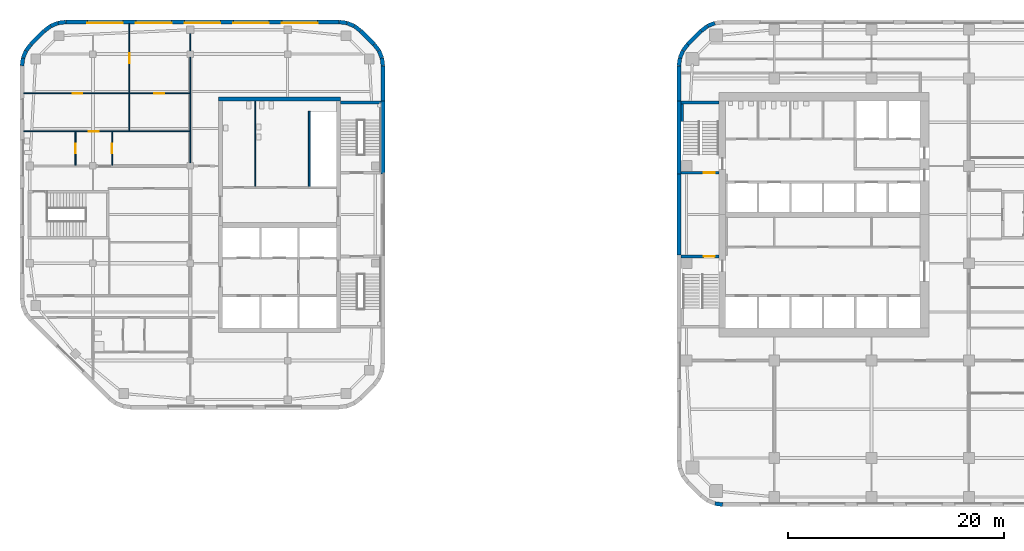
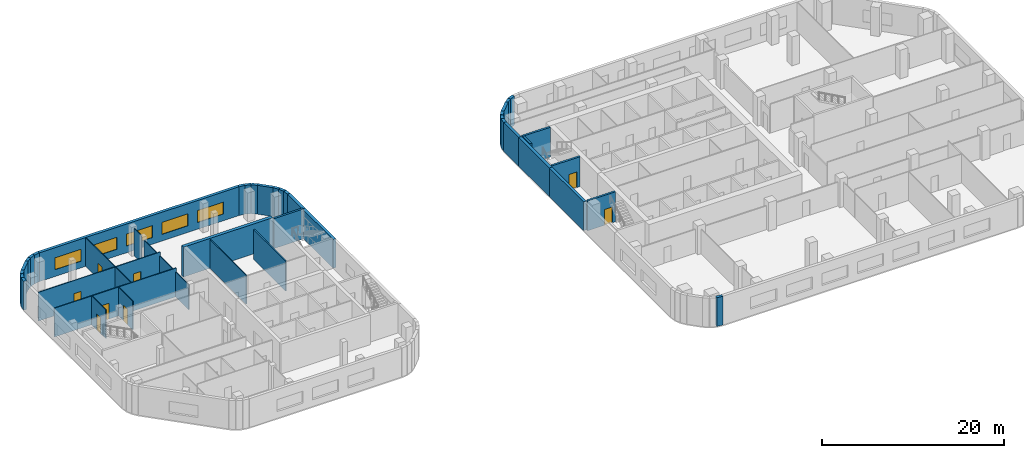
# One storey, part 7 of 14: 45 walls, 8 doors, 5 windows, 13 openings.
"""IFC4 building model written with IfcOpenShell, lengths in metres."""

from ifc_helpers import new_model, si_unit, direction, frame, frame_2d, origin, place, context, subcontext, project, spatial, rectangle, extrude, material, layer, layer_set, type_object, element, fill, save


model = new_model("IFC4")

# Units and contexts
model_context = context("Model", 3, precision=1e-05, world=origin(), true_north=direction((0.0, 1.0)))
body_context = subcontext(model_context, "Body", "Model", "MODEL_VIEW")
ifc_project = project(units=[si_unit("LENGTHUNIT", "METRE"), si_unit("AREAUNIT", "SQUARE_METRE"), si_unit("VOLUMEUNIT", "CUBIC_METRE"), si_unit("PLANEANGLEUNIT", "RADIAN"), si_unit("MASSUNIT", "GRAM", prefix="KILO")], contexts=[model_context])

# Site, building, storey
site_placement = place(None, origin())
site = spatial("IfcSite", under=ifc_project, at=site_placement, CompositionType="ELEMENT")
building_placement = place(site_placement, origin())
building = spatial("IfcBuilding", under=site, at=building_placement, Name="Cinnabar Reach Civic Tower", CompositionType="ELEMENT")
storey_placement = place(building_placement, frame((0.0, 0.0, 116.0)))
storey = spatial("IfcBuildingStorey", under=building, at=storey_placement, Name="L27", CompositionType="ELEMENT", Elevation=116.0)

# Walls
ifc_material_1 = material(Name="Facing brick with insulated backing", Category="masonry")
ifc_layer_1 = layer(ifc_material_1, 0.36)
ifc_layer_set_1 = layer_set([ifc_layer_1], Name="Brick corner wall")
wall_type_1 = type_object("IfcWallType", Name="Brick corner wall", PredefinedType="STANDARD", material=ifc_layer_set_1)
wall_1_placement = place(storey_placement, frame((3.5027, 49.2181, 0.0), z_axis=(0.0, 0.0, 1.0), x_axis=(-0.923871547278, -0.382702709855, 0.0)))
element("IfcWall", 1, at=wall_1_placement, inside=storey, type_object=wall_type_1, Name="Brick corner wall", PredefinedType="STANDARD", context=body_context, shape_type="SweptSolid", body=[
    extrude(rectangle(XDim=0.7131, YDim=0.36, at=frame_2d((0.3565, 0.0))), origin(), (0.0, 0.0, 1.0), 3.85),
])
for number, where, z_axis, x_axis, name in (
    (2, (2.8245, 48.934, 0.0), (0.0, 0.0, 1.0), (-0.793321924995, -0.608802368033, 0.0), "Brick corner wall"),
    (3, (1.0002, 47.2413, 0.0), (0.0, 0.0, 1.0), (-0.608802368033, -0.793321924995, 0.0), "Brick corner wall"),
):
    element("IfcWall", number, at=place(storey_placement, frame(where, z_axis=z_axis, x_axis=x_axis)), inside=storey, type_object=wall_type_1, Name=name, PredefinedType="STANDARD", context=body_context, shape_type="SweptSolid", body=[
        extrude(rectangle(XDim=0.7132, YDim=0.36, at=frame_2d((0.3566, 0.0))), origin(), (0.0, 0.0, 1.0), 3.85),
    ])
for number, where, z_axis, x_axis, name in (
    (4, (0.5548, 46.6561, 0.0), (0.0, 0.0, 1.0), (-0.382702709855, -0.923871547278, 0.0), "Brick corner wall"),
    (5, (0.2761, 45.9756, 0.0), (0.0, 0.0, 1.0), (-0.13055608231, -0.99144092581, 0.0), "Brick corner wall"),
    (6, (3.5244, 4.7761, 0.0), (0.0, 0.0, 1.0), (0.99144092581, -0.13055608231, 0.0), "Brick corner wall"),
    (7, (-27.183, 45.2686, 0.0), (0.0, 0.0, 1.0), (-0.13055608231, 0.99144092581, 0.0), "Brick corner wall"),
    (8, (-27.2819, 45.9973, 0.0), (0.0, 0.0, 1.0), (-0.382702709855, 0.923871547278, 0.0), "Brick corner wall"),
):
    element("IfcWall", number, at=place(storey_placement, frame(where, z_axis=z_axis, x_axis=x_axis)), inside=storey, type_object=wall_type_1, Name=name, PredefinedType="STANDARD", context=body_context, shape_type="SweptSolid", body=[
        extrude(rectangle(XDim=0.7131, YDim=0.36, at=frame_2d((0.3565, 0.0))), origin(), (0.0, 0.0, 1.0), 3.85),
    ])
for number, where, z_axis, x_axis, name in (
    (9, (-27.566, 46.6755, 0.0), (0.0, 0.0, 1.0), (-0.608802368033, 0.793321924995, 0.0), "Brick corner wall"),
    (10, (-29.2587, 48.4998, 0.0), (0.0, 0.0, 1.0), (-0.793321924995, 0.608802368033, 0.0), "Brick corner wall"),
):
    element("IfcWall", number, at=place(storey_placement, frame(where, z_axis=z_axis, x_axis=x_axis)), inside=storey, type_object=wall_type_1, Name=name, PredefinedType="STANDARD", context=body_context, shape_type="SweptSolid", body=[
        extrude(rectangle(XDim=0.7132, YDim=0.36, at=frame_2d((0.3566, 0.0))), origin(), (0.0, 0.0, 1.0), 3.85),
    ])
for number, where, z_axis, x_axis, name in (
    (11, (-29.8439, 48.9452, 0.0), (0.0, 0.0, 1.0), (-0.923871547278, 0.382702709855, 0.0), "Brick corner wall"),
    (12, (-30.5244, 49.2239, 0.0), (0.0, 0.0, 1.0), (-0.99144092581, 0.13055608231, 0.0), "Brick corner wall"),
    (13, (-56.5186, 49.317, 0.0), (0.0, 0.0, 1.0), (-0.99144092581, -0.13055608231, 0.0), "Brick corner wall"),
    (14, (-57.2473, 49.2181, 0.0), (0.0, 0.0, 1.0), (-0.923871547278, -0.382702709855, 0.0), "Brick corner wall"),
):
    element("IfcWall", number, at=place(storey_placement, frame(where, z_axis=z_axis, x_axis=x_axis)), inside=storey, type_object=wall_type_1, Name=name, PredefinedType="STANDARD", context=body_context, shape_type="SweptSolid", body=[
        extrude(rectangle(XDim=0.7131, YDim=0.36, at=frame_2d((0.3565, 0.0))), origin(), (0.0, 0.0, 1.0), 3.85),
    ])
for number, where, z_axis, x_axis, name in (
    (15, (-57.9255, 48.934, 0.0), (0.0, 0.0, 1.0), (-0.793321924995, -0.608802368033, 0.0), "Brick corner wall"),
    (16, (-59.7498, 47.2413, 0.0), (0.0, 0.0, 1.0), (-0.608802368033, -0.793321924995, 0.0), "Brick corner wall"),
):
    element("IfcWall", number, at=place(storey_placement, frame(where, z_axis=z_axis, x_axis=x_axis)), inside=storey, type_object=wall_type_1, Name=name, PredefinedType="STANDARD", context=body_context, shape_type="SweptSolid", body=[
        extrude(rectangle(XDim=0.7132, YDim=0.36, at=frame_2d((0.3566, 0.0))), origin(), (0.0, 0.0, 1.0), 3.85),
    ])
for number, where, z_axis, x_axis, name in (
    (17, (-60.1952, 46.6561, 0.0), (0.0, 0.0, 1.0), (-0.382702709855, -0.923871547278, 0.0), "Brick corner wall"),
    (18, (-60.4739, 45.9756, 0.0), (0.0, 0.0, 1.0), (-0.13055608231, -0.99144092581, 0.0), "Brick corner wall"),
):
    element("IfcWall", number, at=place(storey_placement, frame(where, z_axis=z_axis, x_axis=x_axis)), inside=storey, type_object=wall_type_1, Name=name, PredefinedType="STANDARD", context=body_context, shape_type="SweptSolid", body=[
        extrude(rectangle(XDim=0.7131, YDim=0.36, at=frame_2d((0.3565, 0.0))), origin(), (0.0, 0.0, 1.0), 3.85),
    ])
ifc_layer_2 = layer(ifc_material_1, 0.36)
ifc_layer_set_2 = layer_set([ifc_layer_2], Name="Brick pier and spandrel wall")
wall_type_2 = type_object("IfcWallType", Name="Brick pier and spandrel wall", PredefinedType="STANDARD", material=ifc_layer_set_2)
wall_2_placement = place(storey_placement, frame((2.2486, 48.494, 0.0), z_axis=(0.0, 0.0, 1.0), x_axis=(-0.707106781187, -0.707106781187, 0.0)))
element("IfcWall", 19, at=wall_2_placement, inside=storey, type_object=wall_type_2, Name="Brick facade wall", PredefinedType="STANDARD", context=body_context, shape_type="SweptSolid", body=[
    extrude(rectangle(XDim=1.7573, YDim=0.36, at=frame_2d((0.8787, 0.0))), origin(), (0.0, 0.0, 1.0), 3.85),
])
wall_3_placement = place(storey_placement, frame((0.18, 45.2574, 0.0), z_axis=(0.0, 0.0, 1.0), x_axis=(0.0, -1.0, 0.0)))
element("IfcWall", 20, at=wall_3_placement, inside=storey, type_object=wall_type_2, Name="Brick facade wall", PredefinedType="STANDARD", context=body_context, shape_type="SweptSolid", body=[
    extrude(rectangle(XDim=3.2574, YDim=0.36, at=frame_2d((1.6287, 0.0))), origin(), (0.0, 0.0, 1.0), 3.85),
])
wall_4_placement = place(storey_placement, frame((0.18, 42.0, 0.0), z_axis=(0.0, 0.0, 1.0), x_axis=(0.0, -1.0, 0.0)))
element("IfcWall", 21, at=wall_4_placement, inside=storey, type_object=wall_type_2, Name="Brick facade wall", PredefinedType="STANDARD", context=body_context, shape_type="SweptSolid", body=[
    extrude(rectangle(XDim=6.75, YDim=0.36, at=frame_2d((3.375, 0.0))), origin(), (0.0, 0.0, 1.0), 3.85),
])
wall_5_placement = place(storey_placement, frame((0.18, 35.25, 0.0), z_axis=(0.0, 0.0, 1.0), x_axis=(0.0, -1.0, 0.0)))
element("IfcWall", 22, at=wall_5_placement, inside=storey, type_object=wall_type_2, Name="Brick facade wall", PredefinedType="STANDARD", context=body_context, shape_type="SweptSolid", body=[
    extrude(rectangle(XDim=7.5, YDim=0.36, at=frame_2d((3.75, 0.0))), origin(), (0.0, 0.0, 1.0), 3.85),
])
wall_6_placement = place(storey_placement, frame((-27.18, 35.25, 0.0), z_axis=(0.0, 0.0, 1.0), x_axis=(0.0, 1.0, 0.0)))
element("IfcWall", 23, at=wall_6_placement, inside=storey, type_object=wall_type_2, Name="Brick facade wall", PredefinedType="STANDARD", context=body_context, shape_type="SweptSolid", body=[
    extrude(rectangle(XDim=6.75, YDim=0.36, at=frame_2d((3.375, 0.0))), origin(), (0.0, 0.0, 1.0), 3.85),
])
wall_7_placement = place(storey_placement, frame((-27.18, 42.0, 0.0), z_axis=(0.0, 0.0, 1.0), x_axis=(0.0, 1.0, 0.0)))
element("IfcWall", 24, at=wall_7_placement, inside=storey, type_object=wall_type_2, Name="Brick facade wall", PredefinedType="STANDARD", context=body_context, shape_type="SweptSolid", body=[
    extrude(rectangle(XDim=3.2574, YDim=0.36, at=frame_2d((1.6287, 0.0))), origin(), (0.0, 0.0, 1.0), 3.85),
])
wall_8_placement = place(storey_placement, frame((-28.006, 47.2514, 0.0), z_axis=(0.0, 0.0, 1.0), x_axis=(-0.707106781187, 0.707106781187, 0.0)))
element("IfcWall", 25, at=wall_8_placement, inside=storey, type_object=wall_type_2, Name="Brick facade wall", PredefinedType="STANDARD", context=body_context, shape_type="SweptSolid", body=[
    extrude(rectangle(XDim=1.7573, YDim=0.36, at=frame_2d((0.8787, 0.0))), origin(), (0.0, 0.0, 1.0), 3.85),
])

# Wall, openings, windows
wall_9_placement = place(storey_placement, frame((-31.2426, 49.32, 0.0), z_axis=(0.0, 0.0, 1.0), x_axis=(-1.0, 0.0, 0.0)))
wall_9 = element("IfcWall", 26, at=wall_9_placement, inside=storey, type_object=wall_type_2, Name="Brick facade wall", PredefinedType="STANDARD", context=body_context, shape_type="SweptSolid", body=[
    extrude(rectangle(XDim=25.2648, YDim=0.36, at=frame_2d((12.6324, 0.0))), origin(), (0.0, 0.0, 1.0), 3.85),
])
opening_1_placement = place(wall_9_placement, frame((1.9824, 0.0, 0.9)))
opening_1 = element("IfcOpeningElement", 27, at=opening_1_placement, cuts=wall_9, Name="Opening W2727", PredefinedType="OPENING", context=body_context, shape_type="SweptSolid", body=[
    extrude(rectangle(XDim=3.3, YDim=1.6, at=frame_2d((1.65, 0.8))), frame((0.0, 0.19, 0.0), z_axis=(0.0, -1.0, 0.0), x_axis=(1.0, 0.0, 0.0)), (0.0, 0.0, 1.0), 0.38),
])
opening_2_placement = place(wall_9_placement, frame((6.4824, 0.0, 0.9)))
opening_2 = element("IfcOpeningElement", 28, at=opening_2_placement, cuts=wall_9, Name="Opening W2728", PredefinedType="OPENING", context=body_context, shape_type="SweptSolid", body=[
    extrude(rectangle(XDim=3.3, YDim=1.6, at=frame_2d((1.65, 0.8))), frame((0.0, 0.19, 0.0), z_axis=(0.0, -1.0, 0.0), x_axis=(1.0, 0.0, 0.0)), (0.0, 0.0, 1.0), 0.38),
])
opening_3_placement = place(wall_9_placement, frame((10.9824, 0.0, 0.9)))
opening_3 = element("IfcOpeningElement", 29, at=opening_3_placement, cuts=wall_9, Name="Opening W2729", PredefinedType="OPENING", context=body_context, shape_type="SweptSolid", body=[
    extrude(rectangle(XDim=3.3, YDim=1.6, at=frame_2d((1.65, 0.8))), frame((0.0, 0.19, 0.0), z_axis=(0.0, -1.0, 0.0), x_axis=(1.0, 0.0, 0.0)), (0.0, 0.0, 1.0), 0.38),
])
opening_4_placement = place(wall_9_placement, frame((15.4824, 0.0, 0.9)))
opening_4 = element("IfcOpeningElement", 30, at=opening_4_placement, cuts=wall_9, Name="Opening W2730", PredefinedType="OPENING", context=body_context, shape_type="SweptSolid", body=[
    extrude(rectangle(XDim=3.3, YDim=1.6, at=frame_2d((1.65, 0.8))), frame((0.0, 0.19, 0.0), z_axis=(0.0, -1.0, 0.0), x_axis=(1.0, 0.0, 0.0)), (0.0, 0.0, 1.0), 0.38),
])
opening_5_placement = place(wall_9_placement, frame((19.9824, 0.0, 0.9)))
opening_5 = element("IfcOpeningElement", 31, at=opening_5_placement, cuts=wall_9, Name="Opening W2731", PredefinedType="OPENING", context=body_context, shape_type="SweptSolid", body=[
    extrude(rectangle(XDim=3.3, YDim=1.6, at=frame_2d((1.65, 0.8))), frame((0.0, 0.19, 0.0), z_axis=(0.0, -1.0, 0.0), x_axis=(1.0, 0.0, 0.0)), (0.0, 0.0, 1.0), 0.38),
])
ifc_material_2 = material(Name="Clear double glazing in aluminium frame", Category="aluminium")
window_type = type_object("IfcWindowType", Name="Deep-set window A", PartitioningType="SINGLE_PANEL", PredefinedType="WINDOW", material=ifc_material_2)
window_1_placement = place(opening_1_placement, origin())
window_1 = element("IfcWindow", 32, at=window_1_placement, inside=storey, type_object=window_type, Name="Window north face", OverallHeight=1.6, OverallWidth=3.3, PartitioningType="SINGLE_PANEL", PredefinedType="WINDOW", context=body_context, shape_type="SweptSolid", body=[
    extrude(rectangle(XDim=3.3, YDim=1.6, at=frame_2d((1.65, 0.8))), frame((0.0, 0.13, 0.0), z_axis=(0.0, -1.0, 0.0), x_axis=(1.0, 0.0, 0.0)), (0.0, 0.0, 1.0), 0.06),
])
fill(opening_1, window_1)
window_2_placement = place(opening_2_placement, origin())
window_2 = element("IfcWindow", 33, at=window_2_placement, inside=storey, type_object=window_type, Name="Window north face", OverallHeight=1.6, OverallWidth=3.3, PartitioningType="SINGLE_PANEL", PredefinedType="WINDOW", context=body_context, shape_type="SweptSolid", body=[
    extrude(rectangle(XDim=3.3, YDim=1.6, at=frame_2d((1.65, 0.8))), frame((0.0, 0.13, 0.0), z_axis=(0.0, -1.0, 0.0), x_axis=(1.0, 0.0, 0.0)), (0.0, 0.0, 1.0), 0.06),
])
fill(opening_2, window_2)
window_3_placement = place(opening_3_placement, origin())
window_3 = element("IfcWindow", 34, at=window_3_placement, inside=storey, type_object=window_type, Name="Window north face", OverallHeight=1.6, OverallWidth=3.3, PartitioningType="SINGLE_PANEL", PredefinedType="WINDOW", context=body_context, shape_type="SweptSolid", body=[
    extrude(rectangle(XDim=3.3, YDim=1.6, at=frame_2d((1.65, 0.8))), frame((0.0, 0.13, 0.0), z_axis=(0.0, -1.0, 0.0), x_axis=(1.0, 0.0, 0.0)), (0.0, 0.0, 1.0), 0.06),
])
fill(opening_3, window_3)
window_4_placement = place(opening_4_placement, origin())
window_4 = element("IfcWindow", 35, at=window_4_placement, inside=storey, type_object=window_type, Name="Window north face", OverallHeight=1.6, OverallWidth=3.3, PartitioningType="SINGLE_PANEL", PredefinedType="WINDOW", context=body_context, shape_type="SweptSolid", body=[
    extrude(rectangle(XDim=3.3, YDim=1.6, at=frame_2d((1.65, 0.8))), frame((0.0, 0.13, 0.0), z_axis=(0.0, -1.0, 0.0), x_axis=(1.0, 0.0, 0.0)), (0.0, 0.0, 1.0), 0.06),
])
fill(opening_4, window_4)
window_5_placement = place(opening_5_placement, origin())
window_5 = element("IfcWindow", 36, at=window_5_placement, inside=storey, type_object=window_type, Name="Window north face", OverallHeight=1.6, OverallWidth=3.3, PartitioningType="SINGLE_PANEL", PredefinedType="WINDOW", context=body_context, shape_type="SweptSolid", body=[
    extrude(rectangle(XDim=3.3, YDim=1.6, at=frame_2d((1.65, 0.8))), frame((0.0, 0.13, 0.0), z_axis=(0.0, -1.0, 0.0), x_axis=(1.0, 0.0, 0.0)), (0.0, 0.0, 1.0), 0.06),
])
fill(opening_5, window_5)

# Walls
wall_10_placement = place(storey_placement, frame((-58.5014, 48.494, 0.0), z_axis=(0.0, 0.0, 1.0), x_axis=(-0.707106781187, -0.707106781187, 0.0)))
element("IfcWall", 37, at=wall_10_placement, inside=storey, type_object=wall_type_2, Name="Brick facade wall", PredefinedType="STANDARD", context=body_context, shape_type="SweptSolid", body=[
    extrude(rectangle(XDim=1.7573, YDim=0.36, at=frame_2d((0.8787, 0.0))), origin(), (0.0, 0.0, 1.0), 3.85),
])
ifc_material_3 = material(Name="Concrete C60", Category="concrete")
ifc_layer_3 = layer(ifc_material_3, 0.4)
ifc_layer_set_3 = layer_set([ifc_layer_3], Name="Core wall 400 EI 180")
wall_type_3 = type_object("IfcWallType", Name="Core wall 400 EI 180", PredefinedType="SOLIDWALL", material=ifc_layer_set_3)
wall_11_placement = place(storey_placement, frame((-31.1, 42.2, 0.0), z_axis=(0.0, 0.0, 1.0), x_axis=(-1.0, 0.0, 0.0)))
element("IfcWall", 38, at=wall_11_placement, inside=storey, type_object=wall_type_3, Name="Core wall T2 L27 N", PredefinedType="SOLIDWALL", context=body_context, shape_type="SweptSolid", body=[
    extrude(rectangle(XDim=11.3, YDim=0.4, at=frame_2d((5.65, 0.0))), origin(), (0.0, 0.0, 1.0), 4.0),
])

# Wall, opening, door
ifc_material_4 = material(Name="Gypsum board on steel studs", Category="steel")
ifc_layer_4 = layer(ifc_material_4, 0.1)
ifc_layer_set_4 = layer_set([ifc_layer_4], Name="Partition wall 100 T2")
wall_type_4 = type_object("IfcWallType", Name="Partition wall 100 T2", PredefinedType="PARTITIONING", material=ifc_layer_set_4)
wall_12_placement = place(storey_placement, frame((-60.39, 39.2, 0.0), z_axis=(0.0, 0.0, 1.0), x_axis=(1.0, 0.0, 0.0)))
wall_12 = element("IfcWall", 39, at=wall_12_placement, inside=storey, type_object=wall_type_4, Name="Partition wall 9", PredefinedType="PARTITIONING", context=body_context, shape_type="SweptSolid", body=[
    extrude(rectangle(XDim=15.44, YDim=0.1, at=frame_2d((7.72, 0.0))), origin(), (0.0, 0.0, 1.0), 3.85),
])
opening_6_placement = place(wall_12_placement, frame((6.0209, 0.0, 0.0)))
opening_6 = element("IfcOpeningElement", 40, at=opening_6_placement, cuts=wall_12, Name="Opening D6999", PredefinedType="OPENING", context=body_context, shape_type="SweptSolid", body=[
    extrude(rectangle(XDim=0.9, YDim=2.1, at=frame_2d((0.45, 1.05))), frame((0.0, 0.06, 0.0), z_axis=(0.0, -1.0, 0.0), x_axis=(1.0, 0.0, 0.0)), (0.0, 0.0, 1.0), 0.12),
])
ifc_material_5 = material(Name="Timber door leaf in steel frame", Category="steel")
door_type_1 = type_object("IfcDoorType", Name="Single swing door 900 x 2100 T2", OperationType="SINGLE_SWING_LEFT", PredefinedType="DOOR", material=ifc_material_5)
door_1_placement = place(opening_6_placement, frame((0.9, 0.0, 0.0), z_axis=(0.0, 0.0, 1.0), x_axis=(-1.0, 0.0, 0.0)))
door_1 = element("IfcDoor", 41, at=door_1_placement, inside=storey, type_object=door_type_1, Name="Door D6999", OperationType="SINGLE_SWING_RIGHT", OverallHeight=2.1, OverallWidth=0.9, PredefinedType="DOOR", context=body_context, shape_type="SweptSolid", body=[
    extrude(rectangle(XDim=0.9, YDim=2.1, at=frame_2d((0.45, 1.05))), frame((0.0, 0.025, 0.0), z_axis=(0.0, -1.0, 0.0), x_axis=(1.0, 0.0, 0.0)), (0.0, 0.0, 1.0), 0.05),
])
fill(opening_6, door_1)

# Wall, openings, doors
wall_13_placement = place(storey_placement, frame((-60.39, 42.7102, 0.0), z_axis=(0.0, 0.0, 1.0), x_axis=(1.0, 0.0, 0.0)))
wall_13 = element("IfcWall", 42, at=wall_13_placement, inside=storey, type_object=wall_type_4, Name="Partition wall 10", PredefinedType="PARTITIONING", context=body_context, shape_type="SweptSolid", body=[
    extrude(rectangle(XDim=15.44, YDim=0.1, at=frame_2d((7.72, 0.0))), origin(), (0.0, 0.0, 1.0), 3.85),
])
opening_7_placement = place(wall_13_placement, frame((4.5, 0.0, 0.0)))
opening_7 = element("IfcOpeningElement", 43, at=opening_7_placement, cuts=wall_13, Name="Opening D7001", PredefinedType="OPENING", context=body_context, shape_type="SweptSolid", body=[
    extrude(rectangle(XDim=0.9, YDim=2.1, at=frame_2d((0.45, 1.05))), frame((0.0, 0.06, 0.0), z_axis=(0.0, -1.0, 0.0), x_axis=(1.0, 0.0, 0.0)), (0.0, 0.0, 1.0), 0.12),
])
opening_8_placement = place(wall_13_placement, frame((12.06, 0.0, 0.0)))
opening_8 = element("IfcOpeningElement", 44, at=opening_8_placement, cuts=wall_13, Name="Opening D7002", PredefinedType="OPENING", context=body_context, shape_type="SweptSolid", body=[
    extrude(rectangle(XDim=0.9, YDim=2.1, at=frame_2d((0.45, 1.05))), frame((0.0, 0.06, 0.0), z_axis=(0.0, -1.0, 0.0), x_axis=(1.0, 0.0, 0.0)), (0.0, 0.0, 1.0), 0.12),
])
door_2_placement = place(opening_7_placement, frame((0.9, 0.0, 0.0), z_axis=(0.0, 0.0, 1.0), x_axis=(-1.0, 0.0, 0.0)))
door_2 = element("IfcDoor", 45, at=door_2_placement, inside=storey, type_object=door_type_1, Name="Door D7001", OperationType="SINGLE_SWING_LEFT", OverallHeight=2.1, OverallWidth=0.9, PredefinedType="DOOR", context=body_context, shape_type="SweptSolid", body=[
    extrude(rectangle(XDim=0.9, YDim=2.1, at=frame_2d((0.45, 1.05))), frame((0.0, 0.025, 0.0), z_axis=(0.0, -1.0, 0.0), x_axis=(1.0, 0.0, 0.0)), (0.0, 0.0, 1.0), 0.05),
])
fill(opening_7, door_2)
door_3_placement = place(opening_8_placement, origin())
door_3 = element("IfcDoor", 46, at=door_3_placement, inside=storey, type_object=door_type_1, Name="Door D7002", OperationType="SINGLE_SWING_LEFT", OverallHeight=2.1, OverallWidth=0.9, PredefinedType="DOOR", context=body_context, shape_type="SweptSolid", body=[
    extrude(rectangle(XDim=0.9, YDim=2.1, at=frame_2d((0.45, 1.05))), frame((0.0, 0.025, 0.0), z_axis=(0.0, -1.0, 0.0), x_axis=(1.0, 0.0, 0.0)), (0.0, 0.0, 1.0), 0.05),
])
fill(opening_8, door_3)

# Walls
wall_14_placement = place(storey_placement, frame((-45.0, 42.7602, 0.0), z_axis=(0.0, 0.0, 1.0), x_axis=(0.0, 1.0, 0.0)))
element("IfcWall", 47, at=wall_14_placement, inside=storey, type_object=wall_type_4, Name="Partition wall 11", PredefinedType="PARTITIONING", context=body_context, shape_type="SweptSolid", body=[
    extrude(rectangle(XDim=3.2898, YDim=0.1, at=frame_2d((1.6449, 0.0))), origin(), (0.0, 0.0, 1.0), 3.362),
])
wall_15_placement = place(storey_placement, frame((-45.0, 39.25, 0.0), z_axis=(0.0, 0.0, 1.0), x_axis=(0.0, 1.0, 0.0)))
element("IfcWall", 48, at=wall_15_placement, inside=storey, type_object=wall_type_4, Name="Partition wall 12", PredefinedType="PARTITIONING", context=body_context, shape_type="SweptSolid", body=[
    extrude(rectangle(XDim=3.4102, YDim=0.1, at=frame_2d((1.7051, 0.0))), origin(), (0.0, 0.0, 1.0), 3.362),
])
wall_16_placement = place(storey_placement, frame((-45.0, 36.3, 0.0), z_axis=(0.0, 0.0, 1.0), x_axis=(0.0, 1.0, 0.0)))
element("IfcWall", 49, at=wall_16_placement, inside=storey, type_object=wall_type_4, Name="Partition wall 13", PredefinedType="PARTITIONING", context=body_context, shape_type="SweptSolid", body=[
    extrude(rectangle(XDim=2.85, YDim=0.1, at=frame_2d((1.425, 0.0))), origin(), (0.0, 0.0, 1.0), 3.362),
])
wall_17_placement = place(storey_placement, frame((-45.0, 46.65, 0.0), z_axis=(0.0, 0.0, 1.0), x_axis=(0.0, 1.0, 0.0)))
element("IfcWall", 50, at=wall_17_placement, inside=storey, type_object=wall_type_4, Name="Partition wall 14", PredefinedType="PARTITIONING", context=body_context, shape_type="SweptSolid", body=[
    extrude(rectangle(XDim=1.6, YDim=0.1, at=frame_2d((0.8, 0.0))), origin(), (0.0, 0.0, 1.0), 3.652),
])
wall_18_placement = place(storey_placement, frame((-50.63, 39.25, 0.0), z_axis=(0.0, 0.0, 1.0), x_axis=(0.0, 1.0, 0.0)))
element("IfcWall", 51, at=wall_18_placement, inside=storey, type_object=wall_type_4, Name="Partition wall 15", PredefinedType="PARTITIONING", context=body_context, shape_type="SweptSolid", body=[
    extrude(rectangle(XDim=3.4102, YDim=0.1, at=frame_2d((1.7051, 0.0))), origin(), (0.0, 0.0, 1.0), 3.85),
])

# Wall, opening, door
wall_19_placement = place(storey_placement, frame((-50.63, 42.7602, 0.0), z_axis=(0.0, 0.0, 1.0), x_axis=(0.0, 1.0, 0.0)))
wall_19 = element("IfcWall", 52, at=wall_19_placement, inside=storey, type_object=wall_type_4, Name="Partition wall 16", PredefinedType="PARTITIONING", context=body_context, shape_type="SweptSolid", body=[
    extrude(rectangle(XDim=6.3798, YDim=0.1, at=frame_2d((3.1899, 0.0))), origin(), (0.0, 0.0, 1.0), 3.85),
])
opening_9_placement = place(wall_19_placement, frame((2.75, 0.0, 0.0)))
opening_9 = element("IfcOpeningElement", 53, at=opening_9_placement, cuts=wall_19, Name="Opening D7000", PredefinedType="OPENING", context=body_context, shape_type="SweptSolid", body=[
    extrude(rectangle(XDim=0.9, YDim=2.1, at=frame_2d((0.45, 1.05))), frame((0.0, 0.06, 0.0), z_axis=(0.0, -1.0, 0.0), x_axis=(1.0, 0.0, 0.0)), (0.0, 0.0, 1.0), 0.12),
])
door_4_placement = place(opening_9_placement, frame((0.9, 0.0, 0.0), z_axis=(0.0, 0.0, 1.0), x_axis=(-1.0, 0.0, 0.0)))
door_4 = element("IfcDoor", 54, at=door_4_placement, inside=storey, type_object=door_type_1, Name="Door D7000", OperationType="SINGLE_SWING_RIGHT", OverallHeight=2.1, OverallWidth=0.9, PredefinedType="DOOR", context=body_context, shape_type="SweptSolid", body=[
    extrude(rectangle(XDim=0.9, YDim=2.1, at=frame_2d((0.45, 1.05))), frame((0.0, 0.025, 0.0), z_axis=(0.0, -1.0, 0.0), x_axis=(1.0, 0.0, 0.0)), (0.0, 0.0, 1.0), 0.05),
])
fill(opening_9, door_4)

wall_20_placement = place(storey_placement, frame((-55.6191, 36.075, 0.0), z_axis=(0.0, 0.0, 1.0), x_axis=(0.0, 1.0, 0.0)))
wall_20 = element("IfcWall", 55, at=wall_20_placement, inside=storey, type_object=wall_type_4, Name="Partition wall 26", PredefinedType="PARTITIONING", context=body_context, shape_type="SweptSolid", body=[
    extrude(rectangle(XDim=3.075, YDim=0.1, at=frame_2d((1.5375, 0.0))), origin(), (0.0, 0.0, 1.0), 3.85),
])
opening_10_placement = place(wall_20_placement, frame((1.1, 0.0, 0.0)))
opening_10 = element("IfcOpeningElement", 56, at=opening_10_placement, cuts=wall_20, Name="Opening D6997", PredefinedType="OPENING", context=body_context, shape_type="SweptSolid", body=[
    extrude(rectangle(XDim=0.9, YDim=2.1, at=frame_2d((0.45, 1.05))), frame((0.0, 0.06, 0.0), z_axis=(0.0, -1.0, 0.0), x_axis=(1.0, 0.0, 0.0)), (0.0, 0.0, 1.0), 0.12),
])
door_5_placement = place(opening_10_placement, origin())
door_5 = element("IfcDoor", 57, at=door_5_placement, inside=storey, type_object=door_type_1, Name="Door D6997", OperationType="SINGLE_SWING_RIGHT", OverallHeight=2.1, OverallWidth=0.9, PredefinedType="DOOR", context=body_context, shape_type="SweptSolid", body=[
    extrude(rectangle(XDim=0.9, YDim=2.1, at=frame_2d((0.45, 1.05))), frame((0.0, 0.025, 0.0), z_axis=(0.0, -1.0, 0.0), x_axis=(1.0, 0.0, 0.0)), (0.0, 0.0, 1.0), 0.05),
])
fill(opening_10, door_5)

wall_21_placement = place(storey_placement, frame((-52.2333, 36.075, 0.0), z_axis=(0.0, 0.0, 1.0), x_axis=(0.0, 1.0, 0.0)))
wall_21 = element("IfcWall", 58, at=wall_21_placement, inside=storey, type_object=wall_type_4, Name="Partition wall 27", PredefinedType="PARTITIONING", context=body_context, shape_type="SweptSolid", body=[
    extrude(rectangle(XDim=3.075, YDim=0.1, at=frame_2d((1.5375, 0.0))), origin(), (0.0, 0.0, 1.0), 3.85),
])
opening_11_placement = place(wall_21_placement, frame((1.1, 0.0, 0.0)))
opening_11 = element("IfcOpeningElement", 59, at=opening_11_placement, cuts=wall_21, Name="Opening D6998", PredefinedType="OPENING", context=body_context, shape_type="SweptSolid", body=[
    extrude(rectangle(XDim=0.9, YDim=2.1, at=frame_2d((0.45, 1.05))), frame((0.0, 0.06, 0.0), z_axis=(0.0, -1.0, 0.0), x_axis=(1.0, 0.0, 0.0)), (0.0, 0.0, 1.0), 0.12),
])
door_6_placement = place(opening_11_placement, origin())
door_6 = element("IfcDoor", 60, at=door_6_placement, inside=storey, type_object=door_type_1, Name="Door D6998", OperationType="SINGLE_SWING_RIGHT", OverallHeight=2.1, OverallWidth=0.9, PredefinedType="DOOR", context=body_context, shape_type="SweptSolid", body=[
    extrude(rectangle(XDim=0.9, YDim=2.1, at=frame_2d((0.45, 1.05))), frame((0.0, 0.025, 0.0), z_axis=(0.0, -1.0, 0.0), x_axis=(1.0, 0.0, 0.0)), (0.0, 0.0, 1.0), 0.05),
])
fill(opening_11, door_6)

ifc_layer_5 = layer(ifc_material_3, 0.25)
ifc_layer_set_5 = layer_set([ifc_layer_5], Name="Stair shaft wall 250 EI 120")
wall_type_5 = type_object("IfcWallType", Name="Stair shaft wall 250 EI 120", PredefinedType="SOLIDWALL", material=ifc_layer_set_5)
wall_22_placement = place(storey_placement, frame((3.9, 27.625, 0.0), z_axis=(0.0, 0.0, 1.0), x_axis=(-1.0, 0.0, 0.0)))
wall_22 = element("IfcWall", 61, at=wall_22_placement, inside=storey, type_object=wall_type_5, Name="Stair shaft wall T1-S1 L27", PredefinedType="SOLIDWALL", context=body_context, shape_type="SweptSolid", body=[
    extrude(rectangle(XDim=3.54, YDim=0.25, at=frame_2d((1.77, 0.0))), origin(), (0.0, 0.0, 1.0), 4.0),
])
opening_12_placement = place(wall_22_placement, frame((0.4, 0.0, 0.0)))
opening_12 = element("IfcOpeningElement", 62, at=opening_12_placement, cuts=wall_22, Name="Opening D4086", PredefinedType="OPENING", context=body_context, shape_type="SweptSolid", body=[
    extrude(rectangle(XDim=1.0, YDim=2.1, at=frame_2d((0.5, 1.05))), frame((0.0, 0.135, 0.0), z_axis=(0.0, -1.0, 0.0), x_axis=(1.0, 0.0, 0.0)), (0.0, 0.0, 1.0), 0.27),
])
door_type_2 = type_object("IfcDoorType", Name="Stair door 1000 x 2100 T1", OperationType="SINGLE_SWING_LEFT", PredefinedType="DOOR", material=ifc_material_5)
door_7_placement = place(opening_12_placement, origin())
door_7 = element("IfcDoor", 63, at=door_7_placement, inside=storey, type_object=door_type_2, Name="Door D4086", OperationType="SINGLE_SWING_LEFT", OverallHeight=2.1, OverallWidth=1.0, PredefinedType="DOOR", context=body_context, shape_type="SweptSolid", body=[
    extrude(rectangle(XDim=1.0, YDim=2.1, at=frame_2d((0.5, 1.05))), frame((0.0, 0.025, 0.0), z_axis=(0.0, -1.0, 0.0), x_axis=(1.0, 0.0, 0.0)), (0.0, 0.0, 1.0), 0.05),
])
fill(opening_12, door_7)

wall_23_placement = place(storey_placement, frame((0.36, 35.375, 0.0), z_axis=(0.0, 0.0, 1.0), x_axis=(1.0, 0.0, 0.0)))
wall_23 = element("IfcWall", 64, at=wall_23_placement, inside=storey, type_object=wall_type_5, Name="Stair shaft wall T1-S2 L27", PredefinedType="SOLIDWALL", context=body_context, shape_type="SweptSolid", body=[
    extrude(rectangle(XDim=3.54, YDim=0.25, at=frame_2d((1.77, 0.0))), origin(), (0.0, 0.0, 1.0), 4.0),
])
opening_13_placement = place(wall_23_placement, frame((2.14, 0.0, 0.0)))
opening_13 = element("IfcOpeningElement", 65, at=opening_13_placement, cuts=wall_23, Name="Opening D4088", PredefinedType="OPENING", context=body_context, shape_type="SweptSolid", body=[
    extrude(rectangle(XDim=1.0, YDim=2.1, at=frame_2d((0.5, 1.05))), frame((0.0, 0.135, 0.0), z_axis=(0.0, -1.0, 0.0), x_axis=(1.0, 0.0, 0.0)), (0.0, 0.0, 1.0), 0.27),
])
door_8_placement = place(opening_13_placement, origin())
door_8 = element("IfcDoor", 66, at=door_8_placement, inside=storey, type_object=door_type_2, Name="Door D4088", OperationType="SINGLE_SWING_RIGHT", OverallHeight=2.1, OverallWidth=1.0, PredefinedType="DOOR", context=body_context, shape_type="SweptSolid", body=[
    extrude(rectangle(XDim=1.0, YDim=2.1, at=frame_2d((0.5, 1.05))), frame((0.0, 0.025, 0.0), z_axis=(0.0, -1.0, 0.0), x_axis=(1.0, 0.0, 0.0)), (0.0, 0.0, 1.0), 0.05),
])
fill(opening_13, door_8)

# Walls
wall_24_placement = place(storey_placement, frame((3.9, 41.875, 0.0), z_axis=(0.0, 0.0, 1.0), x_axis=(-1.0, 0.0, 0.0)))
element("IfcWall", 67, at=wall_24_placement, inside=storey, type_object=wall_type_5, Name="Stair shaft wall T1-S2 L27", PredefinedType="SOLIDWALL", context=body_context, shape_type="SweptSolid", body=[
    extrude(rectangle(XDim=3.54, YDim=0.25, at=frame_2d((1.77, 0.0))), origin(), (0.0, 0.0, 1.0), 4.0),
])
wall_25_placement = place(storey_placement, frame((-27.36, 41.875, 0.0), z_axis=(0.0, 0.0, 1.0), x_axis=(-1.0, 0.0, 0.0)))
element("IfcWall", 68, at=wall_25_placement, inside=storey, type_object=wall_type_5, Name="Stair shaft wall T2-S2 L27", PredefinedType="SOLIDWALL", context=body_context, shape_type="SweptSolid", body=[
    extrude(rectangle(XDim=3.74, YDim=0.25, at=frame_2d((1.87, 0.0))), origin(), (0.0, 0.0, 1.0), 4.0),
])
ifc_material_6 = material(Name="Concrete C40/50", Category="concrete")
ifc_layer_6 = layer(ifc_material_6, 0.24)
ifc_layer_set_6 = layer_set([ifc_layer_6], Name="T1 landing bearer wall 240")
wall_type_6 = type_object("IfcWallType", Name="T1 landing bearer wall 240", PredefinedType="STANDARD", material=ifc_layer_set_6)
wall_26_placement = place(storey_placement, frame((0.48, 40.13, 0.0), z_axis=(0.0, 0.0, 1.0), x_axis=(0.0, 1.0, 0.0)))
element("IfcWall", 69, at=wall_26_placement, inside=storey, type_object=wall_type_6, Name="T1-S2 landing bearer wall", PredefinedType="STANDARD", context=body_context, shape_type="SweptSolid", body=[
    extrude(rectangle(XDim=1.62, YDim=0.24, at=frame_2d((0.81, 0.0))), origin(), (0.0, 0.0, 1.0), 4.0),
])
ifc_material_7 = material(Name="Gypsum board partition")
ifc_layer_7 = layer(ifc_material_7, 0.1)
ifc_layer_set_7 = layer_set([ifc_layer_7], Name="T2 Internal partition 100")
wall_type_7 = type_object("IfcWallType", Name="T2 Internal partition 100", PredefinedType="PARTITIONING", material=ifc_layer_set_7)
wall_27_placement = place(storey_placement, frame((-39.0, 34.075, 0.0), z_axis=(0.0, 0.0, 1.0), x_axis=(0.0, 1.0, 0.0)))
element("IfcWall", 70, at=wall_27_placement, inside=storey, type_object=wall_type_7, Name="T2 Internal partition L27 016", PredefinedType="PARTITIONING", context=body_context, shape_type="SweptSolid", body=[
    extrude(rectangle(XDim=7.925, YDim=0.1, at=frame_2d((3.9625, 0.0))), origin(), (0.0, 0.0, 1.0), 3.85),
])
ifc_material_8 = material(Name="Concrete C40", Category="concrete")
ifc_layer_8 = layer(ifc_material_8, 0.15)
ifc_layer_set_8 = layer_set([ifc_layer_8], Name="T2 Riser wall 150")
wall_type_8 = type_object("IfcWallType", Name="T2 Riser wall 150", PredefinedType="SOLIDWALL", material=ifc_layer_set_8)
wall_28_placement = place(storey_placement, frame((-34.0, 41.075, 0.0), z_axis=(0.0, 0.0, 1.0), x_axis=(0.0, -1.0, 0.0)))
element("IfcWall", 71, at=wall_28_placement, inside=storey, type_object=wall_type_8, Name="T2 Riser wall L27 013", PredefinedType="SOLIDWALL", context=body_context, shape_type="SweptSolid", body=[
    extrude(rectangle(XDim=7.0, YDim=0.15, at=frame_2d((3.5, 0.0))), origin(), (0.0, 0.0, 1.0), 4.0),
])

save(model, "model.ifc")
